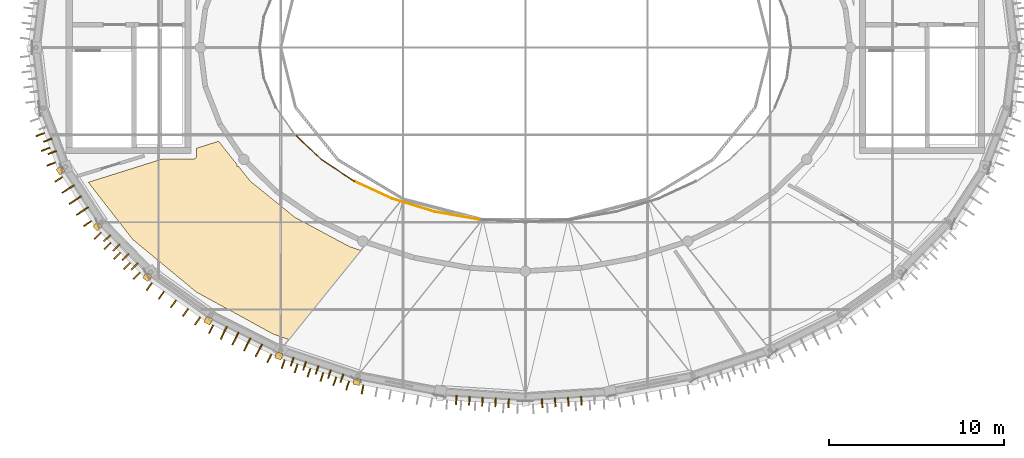
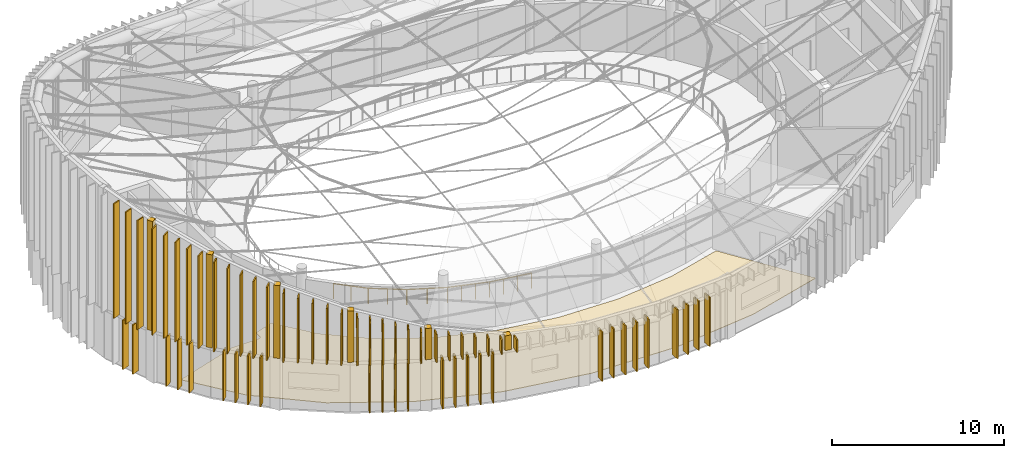
# One storey, part 30 of 36: 58 shading devices, 7 coverings, 5 railings.
"""IFC4 building model written with IfcOpenShell, lengths in metres."""

import ifcopenshell
import ifcopenshell.guid

model = None  # the IFC model being written
_history = None  # IfcOwnerHistory: only IFC2X3 demands one
_inside = {}  # id of a spatial element -> (the spatial element, [elements in it])
_under = {}  # id of a project, library or spatial element -> (it, [spatial elements below it])
_declared = {}  # id of a project -> (the project, [libraries it declares])
_typed = {}  # id of a type object -> (the type object, [elements of that type])
_made_of = {}  # id of a material, layer set ... -> (it, [elements and type objects made of it])


def new_model(schema):
    """Start an empty IFC model of exactly this schema.

    Asked for "IFC4X3", IfcOpenShell would pick the latest addendum, in which some entities
    have other attributes; the version numbers below select the first issue.
    IFC2X3 requires an IfcOwnerHistory on every rooted entity: one is made here for all.
    """
    global model, _history
    if schema == "IFC4X3":
        model = ifcopenshell.file(schema_version=(4, 3, 0, 0))
    else:
        model = ifcopenshell.file(schema=schema)
    _inside.clear()
    _under.clear()
    _declared.clear()
    _typed.clear()
    _made_of.clear()
    _history = None
    if model.schema == "IFC2X3":
        org = make("IfcOrganization", Name="unknown")
        user = make(
            "IfcPersonAndOrganization",
            ThePerson=make("IfcPerson", FamilyName="unknown"),
            TheOrganization=org,
        )
        app = make(
            "IfcApplication",
            ApplicationDeveloper=org,
            Version="unknown",
            ApplicationFullName="unknown",
            ApplicationIdentifier="unknown",
        )
        _history = make(
            "IfcOwnerHistory",
            OwningUser=user,
            OwningApplication=app,
            ChangeAction="ADDED",
            CreationDate=0,
        )
    return model


def make(cls, **values):
    """One entity of the class cls with the attributes given. An attribute that is None is left unset."""
    return model.create_entity(
        cls, **{name: value for name, value in values.items() if value is not None}
    )


def rooted(cls, **values):
    """An entity with a GlobalId (a new one), such as an element, a storey or a relation."""
    return make(cls, GlobalId=ifcopenshell.guid.new(), OwnerHistory=_history, **values)


def si_unit(unit_type, name, prefix=None):
    """IfcSIUnit, for example si_unit("LENGTHUNIT", "METRE", prefix="MILLI")."""
    return make("IfcSIUnit", UnitType=unit_type, Prefix=prefix, Name=name)


def assignment(units):
    """IfcUnitAssignment: the units of a project."""
    return None if units is None else make("IfcUnitAssignment", Units=units)


def point(xyz):
    """IfcCartesianPoint."""
    return None if xyz is None else make("IfcCartesianPoint", Coordinates=xyz)


def direction(xyz):
    """IfcDirection."""
    return None if xyz is None else make("IfcDirection", DirectionRatios=xyz)


def frame(location, z_axis=None, x_axis=None):
    """IfcAxis2Placement3D, a coordinate frame: its origin and axes. An axis left out is left unset."""
    return make(
        "IfcAxis2Placement3D",
        Location=point(location),
        Axis=direction(z_axis),
        RefDirection=direction(x_axis),
    )


def frame_2d(location, x_axis=None):
    """IfcAxis2Placement2D, a coordinate frame in the plane: its origin and x axis."""
    return make(
        "IfcAxis2Placement2D", Location=point(location), RefDirection=direction(x_axis)
    )


def origin():
    """The frame at (0, 0, 0) with its axes left unset."""
    return frame((0.0, 0.0, 0.0))


def origin_2d():
    """The frame at (0, 0) in the plane with its x axis left unset."""
    return frame_2d((0.0, 0.0))


def place(relative_to, where):
    """IfcLocalPlacement: puts the frame where relative to a parent placement (None: the world)."""
    return make(
        "IfcLocalPlacement", PlacementRelTo=relative_to, RelativePlacement=where
    )


def context(
    kind, dimensions, precision=None, world=None, true_north=None, identifier=None
):
    """IfcGeometricRepresentationContext, for example the 3D "Model" context."""
    return make(
        "IfcGeometricRepresentationContext",
        ContextIdentifier=identifier,
        ContextType=kind,
        CoordinateSpaceDimension=dimensions,
        Precision=precision,
        WorldCoordinateSystem=world,
        TrueNorth=true_north,
    )


def subcontext(parent, identifier, kind, view, scale=None):
    """IfcGeometricRepresentationSubContext, for example "Body" below "Model"."""
    return make(
        "IfcGeometricRepresentationSubContext",
        ContextIdentifier=identifier,
        ContextType=kind,
        ParentContext=parent,
        TargetScale=scale,
        TargetView=view,
    )


def project(units=None, contexts=None):
    """IfcProject with its units and contexts."""
    return rooted(
        "IfcProject",
        Name="project",
        RepresentationContexts=contexts,
        UnitsInContext=assignment(units),
    )


def spatial(cls, under=None, at=None, **own):
    """A site, building, storey or space (cls), placed at a placement, below another one or the project."""
    s = rooted(cls, ObjectPlacement=at, **own)
    if under is not None:
        _under.setdefault(under.id(), (under, []))[1].append(s)
    return s


def polyline(points):
    """IfcPolyline through the points."""
    return make("IfcPolyline", Points=[point(p) for p in points])


def profile(cls, at=None, kind="AREA", **sizes):
    """A parametric profile (cls). Its sizes go by their IFC names, for example OverallWidth=200.0."""
    return make(cls, ProfileType=kind, Position=at, **sizes)


def rectangle(**sizes):
    """IfcRectangleProfileDef."""
    return profile("IfcRectangleProfileDef", **sizes)


def circle(**sizes):
    """IfcCircleProfileDef."""
    return profile("IfcCircleProfileDef", **sizes)


def outline(outer, holes=None, kind="AREA"):
    """IfcArbitraryClosedProfileDef: a profile drawn as a closed curve; with holes, ...WithVoids."""
    if holes is None:
        return make("IfcArbitraryClosedProfileDef", ProfileType=kind, OuterCurve=outer)
    return make(
        "IfcArbitraryProfileDefWithVoids",
        ProfileType=kind,
        OuterCurve=outer,
        InnerCurves=holes,
    )


def extrude(swept, where, along, depth):
    """IfcExtrudedAreaSolid: the profile swept, set in the frame where, extruded along a direction by depth."""
    return make(
        "IfcExtrudedAreaSolid",
        SweptArea=swept,
        Position=where,
        ExtrudedDirection=direction(along),
        Depth=depth,
    )


def shape(context_of_items, identifier, shape_type, items):
    """IfcShapeRepresentation: the items that make up one representation, for example the "Body"."""
    return make(
        "IfcShapeRepresentation",
        ContextOfItems=context_of_items,
        RepresentationIdentifier=identifier,
        RepresentationType=shape_type,
        Items=items,
    )


def material(Name=None, Category=None):
    """IfcMaterial."""
    return make("IfcMaterial", Name=Name, Category=Category)


def layer(
    of_material, thickness, ventilated=None, Name=None, Category=None, Priority=None
):
    """IfcMaterialLayer: one layer of a wall or slab, of a material (None: an air gap)."""
    return make(
        "IfcMaterialLayer",
        Material=of_material,
        LayerThickness=thickness,
        IsVentilated=ventilated,
        Name=Name,
        Category=Category,
        Priority=Priority,
    )


def layer_set(layers, Name=None):
    """IfcMaterialLayerSet."""
    return make("IfcMaterialLayerSet", MaterialLayers=layers, LayerSetName=Name)


def made_of(thing, what):
    """Note that an element or type object is made of a material, layer set ...; save() writes the relation."""
    if what is not None:
        _made_of.setdefault(what.id(), (what, []))[1].append(thing)
    return thing


def type_object(cls, material=None, **own):
    """A type object (cls), such as IfcWallType, which elements share."""
    return made_of(rooted(cls, **own), material)


def element(
    cls,
    number,
    at=None,
    inside=None,
    cuts=None,
    type_object=None,
    material=None,
    context=None,
    identifier="Body",
    shape_type=None,
    held_by="IfcProductDefinitionShape",
    body=None,
    shapes=None,
    **own,
):
    """One element of the class cls, such as IfcWall. Its Tag is "e" and its number.

    at: its placement. inside: the storey or other place that contains it. cuts: it is an
    opening in that element (IfcRelVoidsElement). A single representation is given by context,
    identifier, shape_type and body (its items); several are given by shapes. held_by: the class
    of the entity that holds the representations. save() writes the other relations.
    """
    e = rooted(cls, Tag="e%d" % number, ObjectPlacement=at, **own)
    if body is not None:
        shapes = [shape(context, identifier, shape_type, body)]
    if shapes is not None:
        e.Representation = make(held_by, Representations=shapes)
    if inside is not None:
        _inside.setdefault(inside.id(), (inside, []))[1].append(e)
    if cuts is not None:
        rooted(
            "IfcRelVoidsElement", RelatingBuildingElement=cuts, RelatedOpeningElement=e
        )
    if type_object is not None:
        _typed.setdefault(type_object.id(), (type_object, []))[1].append(e)
    return made_of(e, material)


def aggregate(whole, parts):
    """IfcRelAggregates: a whole, such as a stair, and the parts it consists of."""
    return rooted("IfcRelAggregates", RelatingObject=whole, RelatedObjects=parts)


def save(model, path):
    """Write the relations noted so far, then the file.

    IfcRelAggregates (storeys below a building ...), IfcRelContainedInSpatialStructure (elements
    in a storey), IfcRelDefinesByType, IfcRelAssociatesMaterial and IfcRelDeclares: one each for
    every whole, place, type object, material and project.
    """
    for whole, parts in _under.values():
        aggregate(whole, parts)
    for where, things in _inside.values():
        rooted(
            "IfcRelContainedInSpatialStructure",
            RelatedElements=things,
            RelatingStructure=where,
        )
    for kind, things in _typed.values():
        rooted("IfcRelDefinesByType", RelatedObjects=things, RelatingType=kind)
    for what, things in _made_of.values():
        rooted("IfcRelAssociatesMaterial", RelatedObjects=things, RelatingMaterial=what)
    for by, libraries in _declared.values():
        rooted("IfcRelDeclares", RelatingContext=by, RelatedDefinitions=libraries)
    model.write(path)


model = new_model("IFC4")

# Units and contexts
model_context = context("Model", 3, precision=1e-05, world=origin(), true_north=direction((0.0, 1.0)))
body_context = subcontext(model_context, "Body", "Model", "MODEL_VIEW")
ifc_project = project(units=[si_unit("LENGTHUNIT", "METRE"), si_unit("AREAUNIT", "SQUARE_METRE"), si_unit("VOLUMEUNIT", "CUBIC_METRE"), si_unit("PLANEANGLEUNIT", "RADIAN"), si_unit("MASSUNIT", "GRAM", prefix="KILO")], contexts=[model_context])

# Site, building, storey
site_placement = place(None, origin())
site = spatial("IfcSite", under=ifc_project, at=site_placement, CompositionType="ELEMENT")
building_placement = place(site_placement, origin())
building = spatial("IfcBuilding", under=site, at=building_placement, Name="Tarnveldt Headland Concert Hall", CompositionType="ELEMENT")
storey_placement = place(building_placement, frame((0.0, 0.0, 22.800048828125)))
storey = spatial("IfcBuildingStorey", under=building, at=storey_placement, Name="L05", CompositionType="ELEMENT", Elevation=22.800048828125)

# Coverings
ifc_material_1 = material(Name="Polished coral-aggregate cementitious terrazzo flooring", Category="concrete")
ifc_layer_1 = layer(ifc_material_1, 0.034912109375, Name="Polished coral-aggregate cementitious terrazzo flooring", Category="concrete")
ifc_layer_set_1 = layer_set([ifc_layer_1], Name="Polished coral-aggregate cementitious terrazzo flooring")
covering_type_1 = type_object("IfcCoveringType", Name="CV-FLOR35", PredefinedType="FLOORING", material=ifc_layer_set_1)
covering_1_placement = place(storey_placement, origin())
element("IfcCovering", 1, at=covering_1_placement, inside=storey, type_object=covering_type_1, Name="Architectural flooring L05-05-129", PredefinedType="FLOORING", context=body_context, shape_type="SweptSolid", body=[
    extrude(outline(polyline([(66.991943359375, 47.699951171875), (67.084228515625, 47.699951171875), (67.747802734375, 46.864013671875), (67.7607421875, 46.849365234375), (67.775390625, 46.836181640625), (70.30810546875, 44.78515625), (70.32177734375, 44.775146484375), (70.336181640625, 44.766357421875), (73.4169921875, 43.11669921875), (73.430419921875, 43.110107421875), (73.4443359375, 43.104736328125), (76.944091796875, 41.925537109375), (76.957275390625, 41.921630859375), (76.970703125, 41.918701171875), (80.74267578125, 41.25927734375), (80.768310546875, 41.256591796875), (84.65478515625, 41.144775390625), (84.680419921875, 41.145751953125), (88.51806640625, 41.5859375), (88.53125, 41.587890625), (88.544189453125, 41.591064453125), (92.049560546875, 42.531982421875), (95.69287109375, 37.232177734375), (90.698974609375, 35.86376953125), (85.1708984375, 35.216796875), (79.572509765625, 35.38134765625), (74.139892578125, 36.350830078125), (69.10205078125, 38.08349609375), (64.671630859375, 40.5048828125), (61.03466796875, 43.51123046875), (58.4873046875, 46.78662109375), (62.72509765625, 48.1201171875), (64.5, 48.1201171875), (64.517578125, 48.120849609375), (64.53515625, 48.12353515625), (64.55224609375, 48.127685546875), (64.56884765625, 48.1337890625), (64.5849609375, 48.141357421875), (64.60009765625, 48.150390625), (64.6142578125, 48.160888671875), (64.627197265625, 48.172607421875), (64.63916015625, 48.185791015625), (64.649658203125, 48.199951171875), (64.65869140625, 48.215087890625), (64.666259765625, 48.231201171875), (64.672119140625, 48.247802734375), (64.676513671875, 48.264892578125), (64.67919921875, 48.282470703125), (64.679931640625, 48.300048828125), (64.679931640625, 48.735107421875), (65.9462890625, 49.133544921875), (66.991943359375, 47.81640625), (66.991943359375, 47.699951171875)])), origin(), (0.0, 0.0, 1.0), 0.034912109375),
])
ifc_material_2 = material(Name="Coral-toned precast concrete C40/50", Category="concrete")
ifc_layer_2 = layer(ifc_material_2, 0.360107421875, Name="Coral-toned precast concrete C40/50", Category="concrete")
ifc_layer_set_2 = layer_set([ifc_layer_2], Name="Coral-toned precast concrete C40/50")
covering_type_2 = type_object("IfcCoveringType", Name="CV-JNT360", PredefinedType="CLADDING", material=ifc_layer_set_2)
covering_2_placement = place(storey_placement, frame((56.90380859375, 47.4736328125, 3.800048828125), z_axis=(0.0, 0.0, 1.0), x_axis=(-0.837337261414, -0.546686665878, 0.0)))
element("IfcCovering", 2, at=covering_2_placement, inside=storey, type_object=covering_type_2, Name="Precast facade joint closure pilaster L05-351", PredefinedType="CLADDING", context=body_context, shape_type="SweptSolid", body=[
    extrude(rectangle(XDim=0.3798828125, YDim=0.3798828125, at=origin_2d()), origin(), (0.0, 0.0, 1.0), 7.79052734375),
])
covering_3_placement = place(storey_placement, frame((59.008544921875, 44.261962890625, 3.7998046875), z_axis=(0.0, 0.0, 1.0), x_axis=(-0.714106238843, -0.700037341608, 0.0)))
element("IfcCovering", 3, at=covering_3_placement, inside=storey, type_object=covering_type_2, Name="Precast facade joint closure pilaster L05-353", PredefinedType="CLADDING", context=body_context, shape_type="SweptSolid", body=[
    extrude(rectangle(XDim=0.3798828125, YDim=0.3798828125, at=origin_2d()), origin(), (0.0, 0.0, 1.0), 6.6201171875),
])
covering_4_placement = place(storey_placement, frame((61.853271484375, 41.367431640625, 3.7998046875), z_axis=(0.0, 0.0, 1.0), x_axis=(-0.581271174002, -0.813709912852, 0.0)))
element("IfcCovering", 4, at=covering_4_placement, inside=storey, type_object=covering_type_2, Name="Precast facade joint closure pilaster L05-355", PredefinedType="CLADDING", context=body_context, shape_type="SweptSolid", body=[
    extrude(rectangle(XDim=0.3798828125, YDim=0.3798828125, at=origin_2d()), origin(), (0.0, 0.0, 1.0), 5.18408203125),
])
covering_5_placement = place(storey_placement, frame((65.349853515625, 38.875, 3.7998046875), z_axis=(0.0, 0.0, 1.0), x_axis=(-0.447290848419, -0.89438856037, 0.0)))
element("IfcCovering", 5, at=covering_5_placement, inside=storey, type_object=covering_type_2, Name="Precast facade joint closure pilaster L05-357", PredefinedType="CLADDING", context=body_context, shape_type="SweptSolid", body=[
    extrude(rectangle(XDim=0.3798828125, YDim=0.3798828125, at=origin_2d()), origin(), (0.0, 0.0, 1.0), 3.656005859375),
])
covering_6_placement = place(storey_placement, frame((69.392578125, 36.85693359375, 3.7998046875), z_axis=(0.0, 0.0, 1.0), x_axis=(-0.315980237922, -0.948765771538, 0.0)))
element("IfcCovering", 6, at=covering_6_placement, inside=storey, type_object=covering_type_2, Name="Precast facade joint closure pilaster L05-359", PredefinedType="CLADDING", context=body_context, shape_type="SweptSolid", body=[
    extrude(rectangle(XDim=0.3798828125, YDim=0.3798828125, at=origin_2d()), origin(), (0.0, 0.0, 1.0), 2.219970703125),
])
covering_7_placement = place(storey_placement, frame((73.859619140625, 35.372314453125, 3.800048828125), z_axis=(0.0, 0.0, 1.0), x_axis=(-0.187895613278, -0.982189003456, 0.0)))
element("IfcCovering", 7, at=covering_7_placement, inside=storey, type_object=covering_type_2, Name="Precast facade joint closure pilaster L05-361", PredefinedType="CLADDING", context=body_context, shape_type="SweptSolid", body=[
    extrude(rectangle(XDim=0.3798828125, YDim=0.3798828125, at=origin_2d()), origin(), (0.0, 0.0, 1.0), 1.04931640625),
])

# Railings
ifc_material_3 = material(Name="Marine stainless steel", Category="steel")
ifc_layer_3 = layer(ifc_material_3, 0.06005859375, Name="Marine stainless steel", Category="steel")
ifc_layer_set_3 = layer_set([ifc_layer_3], Name="Marine stainless steel")
railing_type = type_object("IfcRailingType", Name="RL-GRD110", PredefinedType="GUARDRAIL", material=ifc_layer_set_3)
railing_1_placement = place(storey_placement, frame((70.33642578125, 49.5, 0.0)))
element("IfcRailing", 8, at=railing_1_placement, inside=storey, type_object=railing_type, Name="GUARD Auditorium void guardrail L05 22", PredefinedType="GUARDRAIL", context=body_context, shape_type="SweptSolid", body=[
    extrude(circle(Radius=0.02392578125, at=origin_2d()), frame((0.0, 0.0, 1.076171875), z_axis=(0.728773712747, -0.684754609776, 0.0), x_axis=(0.684754609776, 0.728773712747, 0.0)), (0.0, 0.0, 1.0), 2.08544921875),
    extrude(circle(Radius=0.02099609375, at=origin_2d()), origin(), (0.0, 0.0, 1.0), 1.052001953125),
    extrude(circle(Radius=0.02099609375, at=origin_2d()), frame((0.759765625, -0.7138671875, 0.0)), (0.0, 0.0, 1.0), 1.052001953125),
    extrude(circle(Radius=0.02099609375, at=origin_2d()), frame((1.519775390625, -1.427978515625, 0.0)), (0.0, 0.0, 1.0), 1.052001953125),
])
railing_2_placement = place(storey_placement, frame((71.856201171875, 48.072021484375, 0.0)))
element("IfcRailing", 9, at=railing_2_placement, inside=storey, type_object=railing_type, Name="GUARD Auditorium void guardrail L05 23", PredefinedType="GUARDRAIL", context=body_context, shape_type="SweptSolid", body=[
    extrude(circle(Radius=0.02392578125, at=origin_2d()), frame((0.0, 0.0, 1.076171875), z_axis=(0.835418397825, -0.549614501788, 0.0), x_axis=(0.549614501788, 0.835418397825, 0.0)), (0.0, 0.0, 1.0), 2.242431640625),
    extrude(circle(Radius=0.02099609375, at=origin_2d()), origin(), (0.0, 0.0, 1.0), 1.052001953125),
    extrude(circle(Radius=0.02099609375, at=origin_2d()), frame((0.9365234375, -0.6162109375, 0.0)), (0.0, 0.0, 1.0), 1.052001953125),
    extrude(circle(Radius=0.02099609375, at=origin_2d()), frame((1.873291015625, -1.232421875, 0.0)), (0.0, 0.0, 1.0), 1.052001953125),
])
railing_3_placement = place(storey_placement, frame((73.7294921875, 46.839599609375, 0.0)))
element("IfcRailing", 10, at=railing_3_placement, inside=storey, type_object=railing_type, Name="GUARD Auditorium void guardrail L05 24", PredefinedType="GUARDRAIL", context=body_context, shape_type="SweptSolid", body=[
    extrude(circle(Radius=0.02392578125, at=origin_2d()), frame((0.0, 0.0, 1.076171875), z_axis=(0.908234283008, -0.418462049854, 0.0), x_axis=(0.418462049854, 0.908234283008, 0.0)), (0.0, 0.0, 1.0), 2.3896484375),
    extrude(circle(Radius=0.02099609375, at=origin_2d()), origin(), (0.0, 0.0, 1.0), 1.052001953125),
    extrude(circle(Radius=0.02099609375, at=origin_2d()), frame((1.085205078125, -0.5, 0.0)), (0.0, 0.0, 1.0), 1.052001953125),
    extrude(circle(Radius=0.02099609375, at=origin_2d()), frame((2.17041015625, -1.0, 0.0)), (0.0, 0.0, 1.0), 1.052001953125),
])
railing_4_placement = place(storey_placement, frame((75.89990234375, 45.839599609375, 0.0)))
element("IfcRailing", 11, at=railing_4_placement, inside=storey, type_object=railing_type, Name="GUARD Auditorium void guardrail L05 25", PredefinedType="GUARDRAIL", context=body_context, shape_type="SweptSolid", body=[
    extrude(circle(Radius=0.02392578125, at=origin_2d()), frame((0.0, 0.0, 1.076171875), z_axis=(0.956037133001, -0.293245631381, 0.0), x_axis=(0.293245631381, 0.956037133001, 0.0)), (0.0, 0.0, 1.0), 2.51171875),
    extrude(circle(Radius=0.02099609375, at=origin_2d()), origin(), (0.0, 0.0, 1.0), 1.052001953125),
    extrude(circle(Radius=0.02099609375, at=origin_2d()), frame((0.800537109375, -0.24560546875, 0.0)), (0.0, 0.0, 1.0), 1.052001953125),
    extrude(circle(Radius=0.02099609375, at=origin_2d()), frame((1.600830078125, -0.490966796875, 0.0)), (0.0, 0.0, 1.0), 1.052001953125),
    extrude(circle(Radius=0.02099609375, at=origin_2d()), frame((2.4013671875, -0.736572265625, 0.0)), (0.0, 0.0, 1.0), 1.052001953125),
])
railing_5_placement = place(storey_placement, frame((78.30126953125, 45.10302734375, 0.0)))
element("IfcRailing", 12, at=railing_5_placement, inside=storey, type_object=railing_type, Name="GUARD Auditorium void guardrail L05 26", PredefinedType="GUARDRAIL", context=body_context, shape_type="SweptSolid", body=[
    extrude(circle(Radius=0.02392578125, at=origin_2d()), frame((0.0, 0.0, 1.076171875), z_axis=(0.984814752515, -0.173608476834, 0.0), x_axis=(0.173608476834, 0.984814752515, 0.0)), (0.0, 0.0, 1.0), 2.598876953125),
    extrude(circle(Radius=0.02099609375, at=origin_2d()), origin(), (0.0, 0.0, 1.0), 1.052001953125),
    extrude(circle(Radius=0.02099609375, at=origin_2d()), frame((0.85302734375, -0.150390625, 0.0)), (0.0, 0.0, 1.0), 1.052001953125),
    extrude(circle(Radius=0.02099609375, at=origin_2d()), frame((1.706298828125, -0.30078125, 0.0)), (0.0, 0.0, 1.0), 1.052001953125),
    extrude(circle(Radius=0.02099609375, at=origin_2d()), frame((2.559326171875, -0.451171875, 0.0)), (0.0, 0.0, 1.0), 1.052001953125),
])

# Shading devices
ifc_material_4 = material(Name="Terracotta-anodised aluminium EN AW-6063-T6", Category="masonry")
shading_device_type = type_object("IfcShadingDeviceType", Name="SD-FIN520", PredefinedType="USERDEFINED", material=ifc_material_4)
for number, where, z_axis, x_axis, name in (
    (13, (56.166015625, 49.19677734375, 0.25), (0.0, 0.0, 1.0), (-0.936304939415, -0.35118806988, 0.0), "Drum terracotta acoustic solar fin L05-262"),
    (14, (56.429443359375, 48.494384765625, 0.25), (0.0, 0.0, 1.0), (-0.936304939415, -0.35118806988, 0.0), "Drum terracotta acoustic solar fin L05-263"),
    (15, (57.46044921875, 46.4794921875, 0.25), (0.0, 0.0, 1.0), (-0.837337261414, -0.546686665878, 0.0), "Drum terracotta acoustic solar fin L05-264"),
    (16, (57.870361328125, 45.8515625, 0.25), (0.0, 0.0, 1.0), (-0.837337261414, -0.546686665878, 0.0), "Drum terracotta acoustic solar fin L05-265"),
    (17, (58.2802734375, 45.2236328125, 0.25), (0.0, 0.0, 1.0), (-0.837337261414, -0.546686665878, 0.0), "Drum terracotta acoustic solar fin L05-266"),
    (18, (59.5654296875, 43.583251953125, 0.25), (0.0, 0.0, 1.0), (-0.714106238843, -0.700037341608, 0.0), "Drum terracotta acoustic solar fin L05-267"),
    (19, (60.09033203125, 43.047607421875, 0.25), (0.0, 0.0, 1.0), (-0.714106238843, -0.700037341608, 0.0), "Drum terracotta acoustic solar fin L05-268"),
    (20, (60.615478515625, 42.511962890625, 0.25), (0.0, 0.0, 1.0), (-0.714106238843, -0.700037341608, 0.0), "Drum terracotta acoustic solar fin L05-269"),
    (21, (61.140380859375, 41.9765625, 0.25), (0.0, 0.0, 1.0), (-0.714106238843, -0.700037341608, 0.0), "Drum terracotta acoustic solar fin L05-270"),
    (22, (66.30810546875, 38.30908203125, 0.25), (0.0, 0.0, 1.0), (-0.447290848419, -0.89438856037, 0.0), "Drum terracotta acoustic solar fin L05-271"),
    (23, (66.978759765625, 37.9736328125, 0.25), (0.0, 0.0, 1.0), (-0.447290848419, -0.89438856037, 0.0), "Drum terracotta acoustic solar fin L05-272"),
    (24, (67.649658203125, 37.63818359375, 0.25), (0.0, 0.0, 1.0), (-0.447290848419, -0.89438856037, 0.0), "Drum terracotta acoustic solar fin L05-273"),
    (25, (68.3203125, 37.302734375, 0.25), (0.0, 0.0, 1.0), (-0.447290848419, -0.89438856037, 0.0), "Drum terracotta acoustic solar fin L05-274"),
    (26, (70.156494140625, 36.520751953125, 0.25), (0.0, 0.0, 1.0), (-0.315980237922, -0.948765771538, 0.0), "Drum terracotta acoustic solar fin L05-275"),
    (27, (70.8681640625, 36.28369140625, 0.25), (0.0, 0.0, 1.0), (-0.315980237922, -0.948765771538, 0.0), "Drum terracotta acoustic solar fin L05-276"),
    (28, (71.579833984375, 36.046630859375, 0.25), (0.0, 0.0, 1.0), (-0.315980237922, -0.948765771538, 0.0), "Drum terracotta acoustic solar fin L05-277"),
    (29, (72.291259765625, 35.809814453125, 0.25), (0.0, 0.0, 1.0), (-0.315980237922, -0.948765771538, 0.0), "Drum terracotta acoustic solar fin L05-278"),
    (30, (73.0029296875, 35.57275390625, 0.25), (0.0, 0.0, 1.0), (-0.315980237922, -0.948765771538, 0.0), "Drum terracotta acoustic solar fin L05-279"),
    (31, (79.5458984375, 34.328857421875, 0.25), (0.0, 0.0, 1.0), (-0.062442138662, -0.998048585651, 0.0), "Drum terracotta acoustic solar fin L05-280"),
    (32, (80.29443359375, 34.281982421875, 0.25), (0.0, 0.0, 1.0), (-0.062442138662, -0.998048585651, 0.0), "Drum terracotta acoustic solar fin L05-281"),
    (33, (81.04296875, 34.235107421875, 0.25), (0.0, 0.0, 1.0), (-0.062442138662, -0.998048585651, 0.0), "Drum terracotta acoustic solar fin L05-282"),
    (34, (81.79150390625, 34.1884765625, 0.25), (0.0, 0.0, 1.0), (-0.062442138662, -0.998048585651, 0.0), "Drum terracotta acoustic solar fin L05-283"),
    (35, (82.5400390625, 34.1416015625, 0.25), (0.0, 0.0, 1.0), (-0.062442138662, -0.998048585651, 0.0), "Drum terracotta acoustic solar fin L05-284"),
    (36, (84.4599609375, 34.1416015625, 0.25), (0.0, 0.0, 1.0), (0.062442138662, -0.998048585651, 0.0), "Drum terracotta acoustic solar fin L05-285"),
    (37, (85.20849609375, 34.1884765625, 0.25), (0.0, 0.0, 1.0), (0.062442138662, -0.998048585651, 0.0), "Drum terracotta acoustic solar fin L05-286"),
    (38, (85.95703125, 34.235107421875, 0.25), (0.0, 0.0, 1.0), (0.062442138662, -0.998048585651, 0.0), "Drum terracotta acoustic solar fin L05-287"),
    (39, (86.70556640625, 34.281982421875, 0.25), (0.0, 0.0, 1.0), (0.062442138662, -0.998048585651, 0.0), "Drum terracotta acoustic solar fin L05-288"),
):
    element("IfcShadingDevice", number, at=place(storey_placement, frame(where, z_axis=z_axis, x_axis=x_axis)), inside=storey, type_object=shading_device_type, Name=name, ObjectType="FIN", PredefinedType="USERDEFINED", context=body_context, shape_type="SweptSolid", body=[
        extrude(rectangle(XDim=0.52001953125, YDim=0.080078125, at=origin_2d()), origin(), (0.0, 0.0, 1.0), 3.5),
    ])
shading_device_1_placement = place(storey_placement, frame((55.729736328125, 49.51318359375, 3.849853515625), z_axis=(0.0, 0.0, 1.0), x_axis=(-0.936304939415, -0.35118806988, 0.0)))
element("IfcShadingDevice", 40, at=shading_device_1_placement, inside=storey, type_object=shading_device_type, Name="Crown terracotta louvre fin 20-2", ObjectType="FIN", PredefinedType="USERDEFINED", context=body_context, shape_type="SweptSolid", body=[
    extrude(rectangle(XDim=0.52001953125, YDim=0.080078125, at=origin_2d()), origin(), (0.0, 0.0, 1.0), 8.13818359375),
])
shading_device_2_placement = place(storey_placement, frame((56.04541015625, 48.67138671875, 3.85009765625), z_axis=(0.0, 0.0, 1.0), x_axis=(-0.936304939415, -0.35118806988, 0.0)))
element("IfcShadingDevice", 41, at=shading_device_2_placement, inside=storey, type_object=shading_device_type, Name="Crown terracotta louvre fin 20-3", ObjectType="FIN", PredefinedType="USERDEFINED", context=body_context, shape_type="SweptSolid", body=[
    extrude(rectangle(XDim=0.52001953125, YDim=0.080078125, at=origin_2d()), origin(), (0.0, 0.0, 1.0), 7.947021484375),
])
shading_device_3_placement = place(storey_placement, frame((56.361328125, 47.829345703125, 3.85009765625), z_axis=(0.0, 0.0, 1.0), x_axis=(-0.936304939415, -0.35118806988, 0.0)))
element("IfcShadingDevice", 42, at=shading_device_3_placement, inside=storey, type_object=shading_device_type, Name="Crown terracotta louvre fin 20-4", ObjectType="FIN", PredefinedType="USERDEFINED", context=body_context, shape_type="SweptSolid", body=[
    extrude(rectangle(XDim=0.52001953125, YDim=0.080078125, at=origin_2d()), origin(), (0.0, 0.0, 1.0), 7.756103515625),
])
shading_device_4_placement = place(storey_placement, frame((56.796142578125, 46.95263671875, 3.849853515625), z_axis=(0.0, 0.0, 1.0), x_axis=(-0.837337261414, -0.546686665878, 0.0)))
element("IfcShadingDevice", 43, at=shading_device_4_placement, inside=storey, type_object=shading_device_type, Name="Crown terracotta louvre fin 21-1", ObjectType="FIN", PredefinedType="USERDEFINED", context=body_context, shape_type="SweptSolid", body=[
    extrude(rectangle(XDim=0.52001953125, YDim=0.080078125, at=origin_2d()), origin(), (0.0, 0.0, 1.0), 7.54345703125),
])
shading_device_5_placement = place(storey_placement, frame((57.208740234375, 46.32080078125, 3.85009765625), z_axis=(0.0, 0.0, 1.0), x_axis=(-0.837337261414, -0.546686665878, 0.0)))
element("IfcShadingDevice", 44, at=shading_device_5_placement, inside=storey, type_object=shading_device_type, Name="Crown terracotta louvre fin 21-2", ObjectType="FIN", PredefinedType="USERDEFINED", context=body_context, shape_type="SweptSolid", body=[
    extrude(rectangle(XDim=0.52001953125, YDim=0.080078125, at=origin_2d()), origin(), (0.0, 0.0, 1.0), 7.309326171875),
])
shading_device_6_placement = place(storey_placement, frame((57.62109375, 45.68896484375, 3.849853515625), z_axis=(0.0, 0.0, 1.0), x_axis=(-0.837337261414, -0.546686665878, 0.0)))
element("IfcShadingDevice", 45, at=shading_device_6_placement, inside=storey, type_object=shading_device_type, Name="Crown terracotta louvre fin 21-3", ObjectType="FIN", PredefinedType="USERDEFINED", context=body_context, shape_type="SweptSolid", body=[
    extrude(rectangle(XDim=0.52001953125, YDim=0.080078125, at=origin_2d()), origin(), (0.0, 0.0, 1.0), 7.0751953125),
])
shading_device_7_placement = place(storey_placement, frame((58.03369140625, 45.056884765625, 3.849853515625), z_axis=(0.0, 0.0, 1.0), x_axis=(-0.837337261414, -0.546686665878, 0.0)))
element("IfcShadingDevice", 46, at=shading_device_7_placement, inside=storey, type_object=shading_device_type, Name="Crown terracotta louvre fin 21-4", ObjectType="FIN", PredefinedType="USERDEFINED", context=body_context, shape_type="SweptSolid", body=[
    extrude(rectangle(XDim=0.52001953125, YDim=0.080078125, at=origin_2d()), origin(), (0.0, 0.0, 1.0), 6.84130859375),
])
shading_device_8_placement = place(storey_placement, frame((58.4462890625, 44.425048828125, 3.85009765625), z_axis=(0.0, 0.0, 1.0), x_axis=(-0.837337261414, -0.546686665878, 0.0)))
element("IfcShadingDevice", 47, at=shading_device_8_placement, inside=storey, type_object=shading_device_type, Name="Crown terracotta louvre fin 21-5", ObjectType="FIN", PredefinedType="USERDEFINED", context=body_context, shape_type="SweptSolid", body=[
    extrude(rectangle(XDim=0.52001953125, YDim=0.080078125, at=origin_2d()), origin(), (0.0, 0.0, 1.0), 6.607177734375),
])
shading_device_9_placement = place(storey_placement, frame((59.020751953125, 43.7138671875, 3.85009765625), z_axis=(0.0, 0.0, 1.0), x_axis=(-0.714106238843, -0.700037341608, 0.0)))
element("IfcShadingDevice", 48, at=shading_device_9_placement, inside=storey, type_object=shading_device_type, Name="Crown terracotta louvre fin 22-1", ObjectType="FIN", PredefinedType="USERDEFINED", context=body_context, shape_type="SweptSolid", body=[
    extrude(rectangle(XDim=0.52001953125, YDim=0.080078125, at=origin_2d()), origin(), (0.0, 0.0, 1.0), 6.346435546875),
])
shading_device_10_placement = place(storey_placement, frame((59.58056640625, 43.142578125, 3.85009765625), z_axis=(0.0, 0.0, 1.0), x_axis=(-0.714106238843, -0.700037341608, 0.0)))
element("IfcShadingDevice", 49, at=shading_device_10_placement, inside=storey, type_object=shading_device_type, Name="Crown terracotta louvre fin 22-2", ObjectType="FIN", PredefinedType="USERDEFINED", context=body_context, shape_type="SweptSolid", body=[
    extrude(rectangle(XDim=0.52001953125, YDim=0.080078125, at=origin_2d()), origin(), (0.0, 0.0, 1.0), 6.05908203125),
])
shading_device_11_placement = place(storey_placement, frame((60.140380859375, 42.571533203125, 3.849853515625), z_axis=(0.0, 0.0, 1.0), x_axis=(-0.714106238843, -0.700037341608, 0.0)))
element("IfcShadingDevice", 50, at=shading_device_11_placement, inside=storey, type_object=shading_device_type, Name="Crown terracotta louvre fin 22-3", ObjectType="FIN", PredefinedType="USERDEFINED", context=body_context, shape_type="SweptSolid", body=[
    extrude(rectangle(XDim=0.52001953125, YDim=0.080078125, at=origin_2d()), origin(), (0.0, 0.0, 1.0), 5.77197265625),
])
shading_device_12_placement = place(storey_placement, frame((60.700439453125, 42.00048828125, 3.849853515625), z_axis=(0.0, 0.0, 1.0), x_axis=(-0.714106238843, -0.700037341608, 0.0)))
element("IfcShadingDevice", 51, at=shading_device_12_placement, inside=storey, type_object=shading_device_type, Name="Crown terracotta louvre fin 22-4", ObjectType="FIN", PredefinedType="USERDEFINED", context=body_context, shape_type="SweptSolid", body=[
    extrude(rectangle(XDim=0.52001953125, YDim=0.080078125, at=origin_2d()), origin(), (0.0, 0.0, 1.0), 5.48486328125),
])
shading_device_13_placement = place(storey_placement, frame((61.26025390625, 41.42919921875, 3.85009765625), z_axis=(0.0, 0.0, 1.0), x_axis=(-0.714106238843, -0.700037341608, 0.0)))
element("IfcShadingDevice", 52, at=shading_device_13_placement, inside=storey, type_object=shading_device_type, Name="Crown terracotta louvre fin 22-5", ObjectType="FIN", PredefinedType="USERDEFINED", context=body_context, shape_type="SweptSolid", body=[
    extrude(rectangle(XDim=0.52001953125, YDim=0.080078125, at=origin_2d()), origin(), (0.0, 0.0, 1.0), 5.197509765625),
])
shading_device_14_placement = place(storey_placement, frame((61.980224609375, 40.81591796875, 3.85009765625), z_axis=(0.0, 0.0, 1.0), x_axis=(-0.581271174002, -0.813709912852, 0.0)))
element("IfcShadingDevice", 53, at=shading_device_14_placement, inside=storey, type_object=shading_device_type, Name="Crown terracotta louvre fin 23-1", ObjectType="FIN", PredefinedType="USERDEFINED", context=body_context, shape_type="SweptSolid", body=[
    extrude(rectangle(XDim=0.52001953125, YDim=0.080078125, at=origin_2d()), origin(), (0.0, 0.0, 1.0), 4.901123046875),
])
shading_device_15_placement = place(storey_placement, frame((62.670654296875, 40.32275390625, 3.849853515625), z_axis=(0.0, 0.0, 1.0), x_axis=(-0.581271174002, -0.813709912852, 0.0)))
element("IfcShadingDevice", 54, at=shading_device_15_placement, inside=storey, type_object=shading_device_type, Name="Crown terracotta louvre fin 23-2", ObjectType="FIN", PredefinedType="USERDEFINED", context=body_context, shape_type="SweptSolid", body=[
    extrude(rectangle(XDim=0.52001953125, YDim=0.080078125, at=origin_2d()), origin(), (0.0, 0.0, 1.0), 4.595703125),
])
shading_device_16_placement = place(storey_placement, frame((63.36083984375, 39.829833984375, 3.849853515625), z_axis=(0.0, 0.0, 1.0), x_axis=(-0.581271174002, -0.813709912852, 0.0)))
element("IfcShadingDevice", 55, at=shading_device_16_placement, inside=storey, type_object=shading_device_type, Name="Crown terracotta louvre fin 23-3", ObjectType="FIN", PredefinedType="USERDEFINED", context=body_context, shape_type="SweptSolid", body=[
    extrude(rectangle(XDim=0.52001953125, YDim=0.080078125, at=origin_2d()), origin(), (0.0, 0.0, 1.0), 4.2900390625),
])
shading_device_17_placement = place(storey_placement, frame((64.051025390625, 39.3369140625, 3.849853515625), z_axis=(0.0, 0.0, 1.0), x_axis=(-0.581271174002, -0.813709912852, 0.0)))
element("IfcShadingDevice", 56, at=shading_device_17_placement, inside=storey, type_object=shading_device_type, Name="Crown terracotta louvre fin 23-4", ObjectType="FIN", PredefinedType="USERDEFINED", context=body_context, shape_type="SweptSolid", body=[
    extrude(rectangle(XDim=0.52001953125, YDim=0.080078125, at=origin_2d()), origin(), (0.0, 0.0, 1.0), 3.984375),
])
shading_device_18_placement = place(storey_placement, frame((64.7412109375, 38.84375, 3.85009765625), z_axis=(0.0, 0.0, 1.0), x_axis=(-0.581271174002, -0.813709912852, 0.0)))
element("IfcShadingDevice", 57, at=shading_device_18_placement, inside=storey, type_object=shading_device_type, Name="Crown terracotta louvre fin 23-5", ObjectType="FIN", PredefinedType="USERDEFINED", context=body_context, shape_type="SweptSolid", body=[
    extrude(rectangle(XDim=0.52001953125, YDim=0.080078125, at=origin_2d()), origin(), (0.0, 0.0, 1.0), 3.6787109375),
])
shading_device_19_placement = place(storey_placement, frame((65.51513671875, 38.373046875, 3.849853515625), z_axis=(0.0, 0.0, 1.0), x_axis=(-0.447290848419, -0.89438856037, 0.0)))
element("IfcShadingDevice", 58, at=shading_device_19_placement, inside=storey, type_object=shading_device_type, Name="Crown terracotta louvre fin 24-1", ObjectType="FIN", PredefinedType="USERDEFINED", context=body_context, shape_type="SweptSolid", body=[
    extrude(rectangle(XDim=0.52001953125, YDim=0.080078125, at=origin_2d()), origin(), (0.0, 0.0, 1.0), 3.40625),
])
shading_device_20_placement = place(storey_placement, frame((66.181640625, 38.039794921875, 3.849853515625), z_axis=(0.0, 0.0, 1.0), x_axis=(-0.447290848419, -0.89438856037, 0.0)))
element("IfcShadingDevice", 59, at=shading_device_20_placement, inside=storey, type_object=shading_device_type, Name="Crown terracotta louvre fin 24-2", ObjectType="FIN", PredefinedType="USERDEFINED", context=body_context, shape_type="SweptSolid", body=[
    extrude(rectangle(XDim=0.52001953125, YDim=0.080078125, at=origin_2d()), origin(), (0.0, 0.0, 1.0), 3.1669921875),
])
shading_device_21_placement = place(storey_placement, frame((66.847900390625, 37.706298828125, 3.849853515625), z_axis=(0.0, 0.0, 1.0), x_axis=(-0.447290848419, -0.89438856037, 0.0)))
element("IfcShadingDevice", 60, at=shading_device_21_placement, inside=storey, type_object=shading_device_type, Name="Crown terracotta louvre fin 24-3", ObjectType="FIN", PredefinedType="USERDEFINED", context=body_context, shape_type="SweptSolid", body=[
    extrude(rectangle(XDim=0.52001953125, YDim=0.080078125, at=origin_2d()), origin(), (0.0, 0.0, 1.0), 2.927734375),
])
shading_device_22_placement = place(storey_placement, frame((67.514404296875, 37.373291015625, 3.85009765625), z_axis=(0.0, 0.0, 1.0), x_axis=(-0.447290848419, -0.89438856037, 0.0)))
element("IfcShadingDevice", 61, at=shading_device_22_placement, inside=storey, type_object=shading_device_type, Name="Crown terracotta louvre fin 24-4", ObjectType="FIN", PredefinedType="USERDEFINED", context=body_context, shape_type="SweptSolid", body=[
    extrude(rectangle(XDim=0.52001953125, YDim=0.080078125, at=origin_2d()), origin(), (0.0, 0.0, 1.0), 2.688232421875),
])
shading_device_23_placement = place(storey_placement, frame((68.1806640625, 37.039794921875, 3.85009765625), z_axis=(0.0, 0.0, 1.0), x_axis=(-0.447290848419, -0.89438856037, 0.0)))
element("IfcShadingDevice", 62, at=shading_device_23_placement, inside=storey, type_object=shading_device_type, Name="Crown terracotta louvre fin 24-5", ObjectType="FIN", PredefinedType="USERDEFINED", context=body_context, shape_type="SweptSolid", body=[
    extrude(rectangle(XDim=0.52001953125, YDim=0.080078125, at=origin_2d()), origin(), (0.0, 0.0, 1.0), 2.448974609375),
])
shading_device_24_placement = place(storey_placement, frame((68.846923828125, 36.70654296875, 3.85009765625), z_axis=(0.0, 0.0, 1.0), x_axis=(-0.447290848419, -0.89438856037, 0.0)))
element("IfcShadingDevice", 63, at=shading_device_24_placement, inside=storey, type_object=shading_device_type, Name="Crown terracotta louvre fin 24-6", ObjectType="FIN", PredefinedType="USERDEFINED", context=body_context, shape_type="SweptSolid", body=[
    extrude(rectangle(XDim=0.52001953125, YDim=0.080078125, at=origin_2d()), origin(), (0.0, 0.0, 1.0), 2.209716796875),
])
shading_device_25_placement = place(storey_placement, frame((69.642578125, 36.37841796875, 3.85009765625), z_axis=(0.0, 0.0, 1.0), x_axis=(-0.315980237922, -0.948765771538, 0.0)))
element("IfcShadingDevice", 64, at=shading_device_25_placement, inside=storey, type_object=shading_device_type, Name="Crown terracotta louvre fin 25-1", ObjectType="FIN", PredefinedType="USERDEFINED", context=body_context, shape_type="SweptSolid", body=[
    extrude(rectangle(XDim=0.52001953125, YDim=0.080078125, at=origin_2d()), origin(), (0.0, 0.0, 1.0), 1.992431640625),
])
shading_device_26_placement = place(storey_placement, frame((70.3798828125, 36.1328125, 3.849853515625), z_axis=(0.0, 0.0, 1.0), x_axis=(-0.315980237922, -0.948765771538, 0.0)))
element("IfcShadingDevice", 65, at=shading_device_26_placement, inside=storey, type_object=shading_device_type, Name="Crown terracotta louvre fin 25-2", ObjectType="FIN", PredefinedType="USERDEFINED", context=body_context, shape_type="SweptSolid", body=[
    extrude(rectangle(XDim=0.52001953125, YDim=0.080078125, at=origin_2d()), origin(), (0.0, 0.0, 1.0), 1.79736328125),
])
shading_device_27_placement = place(storey_placement, frame((71.1171875, 35.88720703125, 3.85009765625), z_axis=(0.0, 0.0, 1.0), x_axis=(-0.315980237922, -0.948765771538, 0.0)))
element("IfcShadingDevice", 66, at=shading_device_27_placement, inside=storey, type_object=shading_device_type, Name="Crown terracotta louvre fin 25-3", ObjectType="FIN", PredefinedType="USERDEFINED", context=body_context, shape_type="SweptSolid", body=[
    extrude(rectangle(XDim=0.52001953125, YDim=0.080078125, at=origin_2d()), origin(), (0.0, 0.0, 1.0), 1.602294921875),
])
shading_device_28_placement = place(storey_placement, frame((71.8544921875, 35.6416015625, 3.849853515625), z_axis=(0.0, 0.0, 1.0), x_axis=(-0.315980237922, -0.948765771538, 0.0)))
element("IfcShadingDevice", 67, at=shading_device_28_placement, inside=storey, type_object=shading_device_type, Name="Crown terracotta louvre fin 25-4", ObjectType="FIN", PredefinedType="USERDEFINED", context=body_context, shape_type="SweptSolid", body=[
    extrude(rectangle(XDim=0.52001953125, YDim=0.080078125, at=origin_2d()), origin(), (0.0, 0.0, 1.0), 1.4072265625),
])
shading_device_29_placement = place(storey_placement, frame((72.591552734375, 35.39599609375, 3.85009765625), z_axis=(0.0, 0.0, 1.0), x_axis=(-0.315980237922, -0.948765771538, 0.0)))
element("IfcShadingDevice", 68, at=shading_device_29_placement, inside=storey, type_object=shading_device_type, Name="Crown terracotta louvre fin 25-5", ObjectType="FIN", PredefinedType="USERDEFINED", context=body_context, shape_type="SweptSolid", body=[
    extrude(rectangle(XDim=0.52001953125, YDim=0.080078125, at=origin_2d()), origin(), (0.0, 0.0, 1.0), 1.212158203125),
])
shading_device_30_placement = place(storey_placement, frame((73.328857421875, 35.150390625, 3.849853515625), z_axis=(0.0, 0.0, 1.0), x_axis=(-0.315980237922, -0.948765771538, 0.0)))
element("IfcShadingDevice", 69, at=shading_device_30_placement, inside=storey, type_object=shading_device_type, Name="Crown terracotta louvre fin 25-6", ObjectType="FIN", PredefinedType="USERDEFINED", context=body_context, shape_type="SweptSolid", body=[
    extrude(rectangle(XDim=0.52001953125, YDim=0.080078125, at=origin_2d()), origin(), (0.0, 0.0, 1.0), 1.01708984375),
])
shading_device_31_placement = place(storey_placement, frame((74.181884765625, 34.9287109375, 3.85009765625), z_axis=(0.0, 0.0, 1.0), x_axis=(-0.187895613278, -0.982189003456, 0.0)))
element("IfcShadingDevice", 70, at=shading_device_31_placement, inside=storey, type_object=shading_device_type, Name="Crown terracotta louvre fin 26-1", ObjectType="FIN", PredefinedType="USERDEFINED", context=body_context, shape_type="SweptSolid", body=[
    extrude(rectangle(XDim=0.52001953125, YDim=0.080078125, at=origin_2d()), origin(), (0.0, 0.0, 1.0), 0.890380859375),
])

save(model, "model.ifc")
